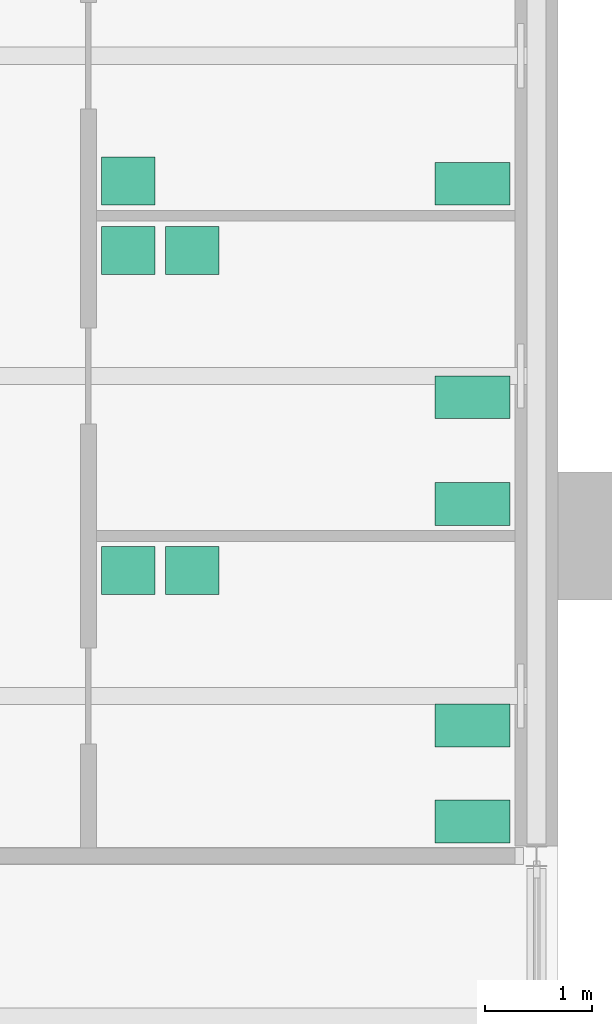
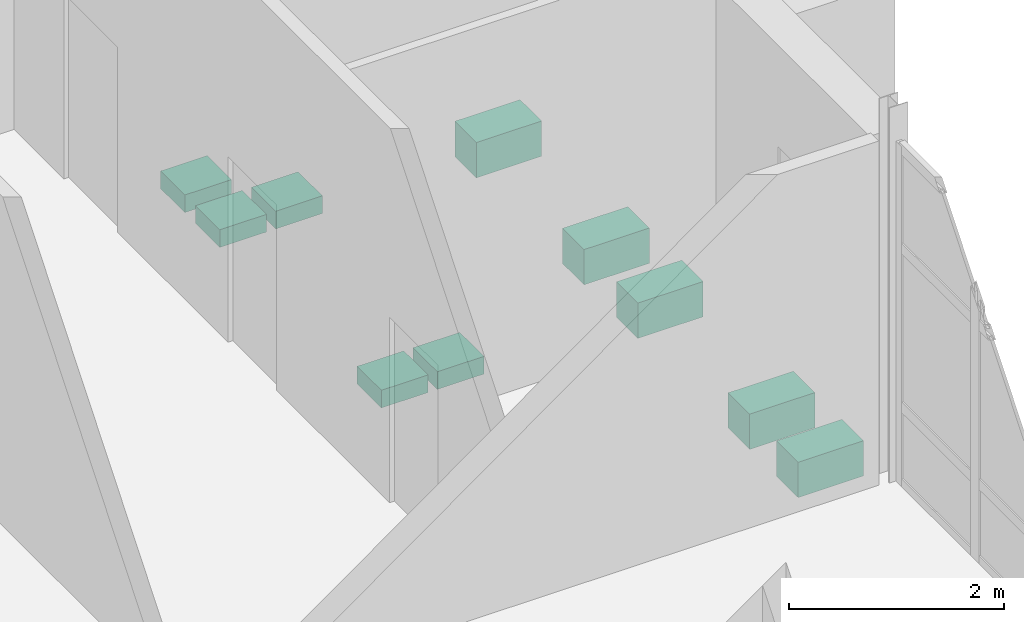
# One storey, part 131 of 131: 10 sanitary terminals.
"""IFC4 building model written with IfcOpenShell, lengths in metres."""

from ifc_helpers import new_model, si_unit, direction, frame, origin, origin_2d, place, context, subcontext, project, spatial, rectangle, extrude, material, type_object, element, save


model = new_model("IFC4")

# Units and contexts
model_context = context("Model", 3, precision=1e-05, world=origin(), true_north=direction((0.0, 1.0)))
body_context = subcontext(model_context, "Body", "Model", "MODEL_VIEW")
ifc_project = project(units=[si_unit("LENGTHUNIT", "METRE"), si_unit("AREAUNIT", "SQUARE_METRE"), si_unit("VOLUMEUNIT", "CUBIC_METRE"), si_unit("PLANEANGLEUNIT", "RADIAN"), si_unit("MASSUNIT", "GRAM", prefix="KILO")], contexts=[model_context])

# Site, building, storey
site_placement = place(None, origin())
site = spatial("IfcSite", under=ifc_project, at=site_placement, CompositionType="ELEMENT")
building_placement = place(site_placement, origin())
building = spatial("IfcBuilding", under=site, at=building_placement, Name="Golden Quay Civic Hall", CompositionType="ELEMENT")
storey_placement = place(building_placement, frame((0.0, 0.0, 9.89990234375)))
storey = spatial("IfcBuildingStorey", under=building, at=storey_placement, Name="L02", CompositionType="ELEMENT", Elevation=9.89990234375)

# Sanitary terminals
ifc_material_1 = material(Name="Ceramic")
sanitary_terminal_type_1 = type_object("IfcSanitaryTerminalType", Name="Toilet pan", PredefinedType="TOILETPAN", material=ifc_material_1)
for number, where, z_axis, x_axis, name in (
    (1, (170.39990234375, 0.324951171875, 0.000244140625), (0.0, 0.0, 1.0), (0.0, 1.0, 0.0), "Toilet pan"),
    (2, (170.39990234375, 1.22509765625, 0.000244140625), (0.0, 0.0, 1.0), (0.0, 1.0, 0.0), "Toilet pan"),
    (3, (170.39990234375, 3.300048828125, 0.000244140625), (0.0, 0.0, 1.0), (0.0, 1.0, 0.0), "Toilet pan"),
    (4, (170.39990234375, 4.300048828125, 0.000244140625), (0.0, 0.0, 1.0), (0.0, 1.0, 0.0), "Toilet pan"),
    (5, (170.39990234375, 6.300048828125, 0.000244140625), (0.0, 0.0, 1.0), (0.0, 1.0, 0.0), "Toilet pan"),
):
    element("IfcSanitaryTerminal", number, at=place(storey_placement, frame(where, z_axis=z_axis, x_axis=x_axis)), inside=storey, type_object=sanitary_terminal_type_1, Name=name, PredefinedType="TOILETPAN", context=body_context, shape_type="SweptSolid", body=[
        extrude(rectangle(XDim=0.39990234375, YDim=0.699951171875, at=origin_2d()), origin(), (0.0, 0.0, 1.0), 0.39990234375),
    ])
ifc_material_2 = material(Name="Ceramic")
sanitary_terminal_type_2 = type_object("IfcSanitaryTerminalType", Name="Wash basin", PredefinedType="WASHHANDBASIN", material=ifc_material_2)
for number, where, z_axis, x_axis, name in (
    (6, (167.175048828125, 2.675048828125, 0.7001953125), (0.0, 0.0, 1.0), (1.0, 0.0, 0.0), "Wash basin"),
    (7, (167.77490234375, 2.675048828125, 0.7001953125), (0.0, 0.0, 1.0), (1.0, 0.0, 0.0), "Wash basin"),
    (8, (167.175048828125, 5.675048828125, 0.7001953125), (0.0, 0.0, 1.0), (1.0, 0.0, 0.0), "Wash basin"),
    (9, (167.77490234375, 5.675048828125, 0.7001953125), (0.0, 0.0, 1.0), (1.0, 0.0, 0.0), "Wash basin"),
    (10, (167.175048828125, 6.324951171875, 0.7001953125), (0.0, 0.0, 1.0), (1.0, 0.0, 0.0), "Wash basin"),
):
    element("IfcSanitaryTerminal", number, at=place(storey_placement, frame(where, z_axis=z_axis, x_axis=x_axis)), inside=storey, type_object=sanitary_terminal_type_2, Name=name, PredefinedType="WASHHANDBASIN", context=body_context, shape_type="SweptSolid", body=[
        extrude(rectangle(XDim=0.5, YDim=0.449951171875, at=origin_2d()), origin(), (0.0, 0.0, 1.0), 0.199951171875),
    ])

save(model, "model.ifc")
